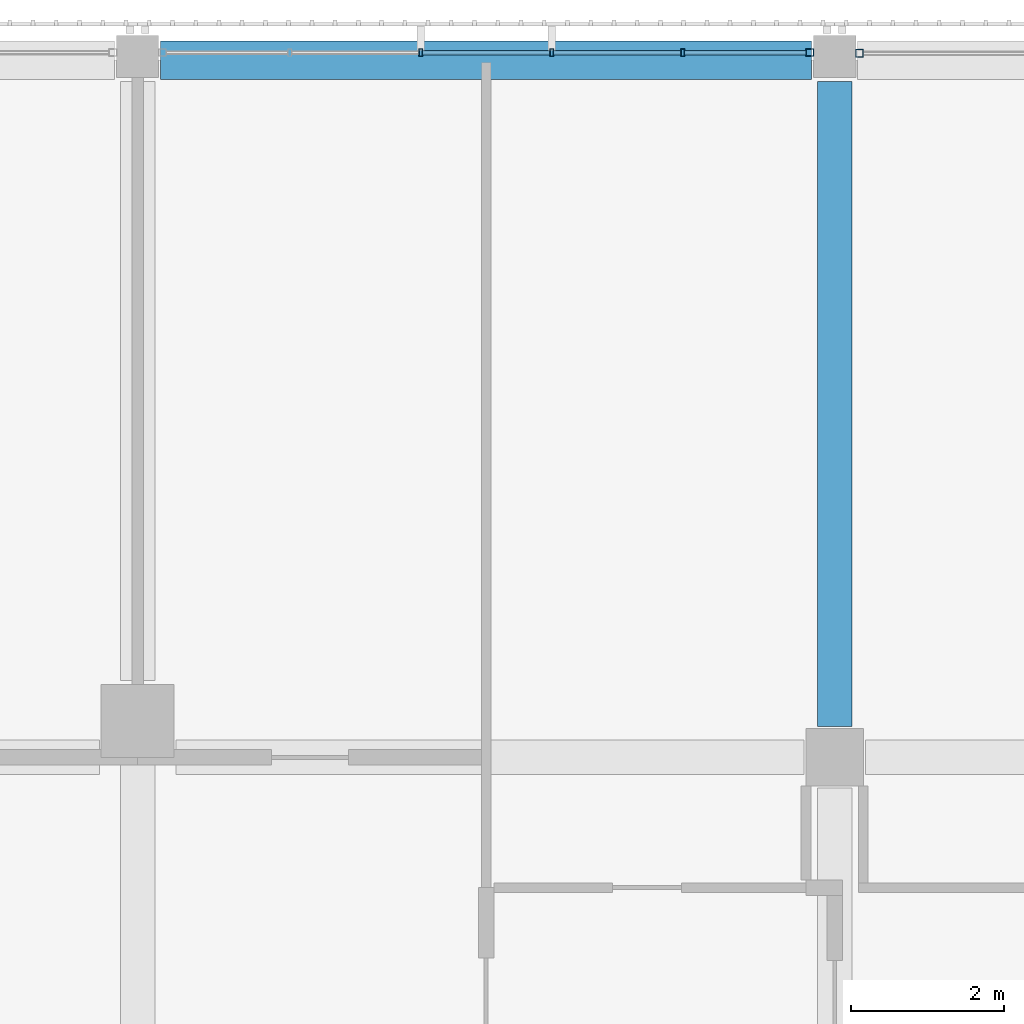
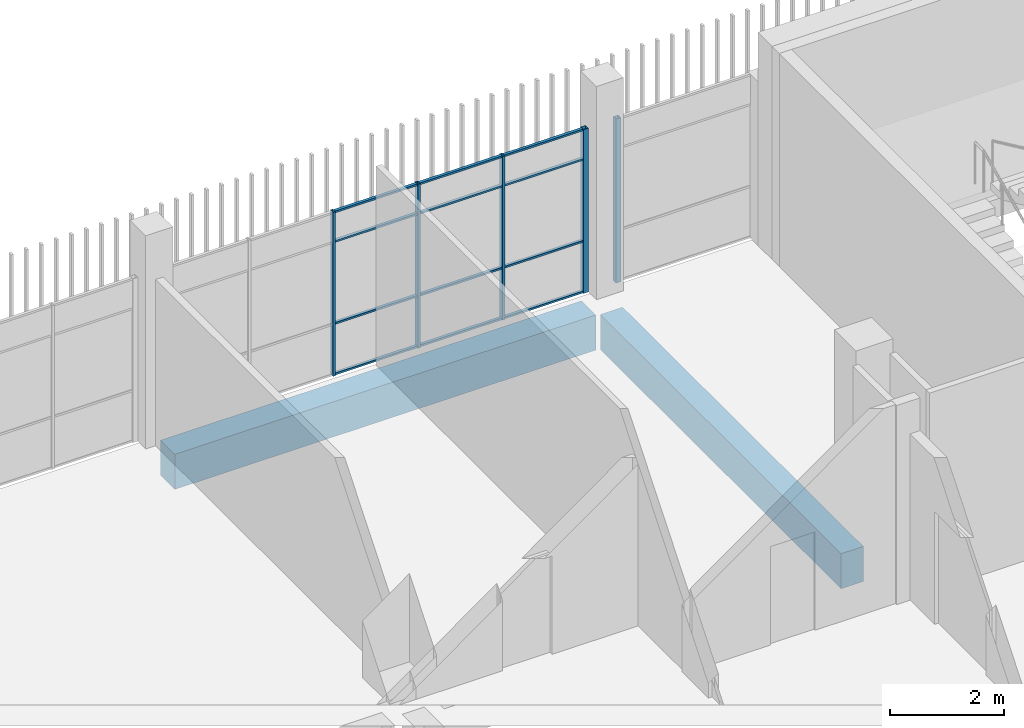
# One storey, part 37 of 104: 17 members, 2 beams, 2 elements without a shape of their own.
"""IFC4 building model written with IfcOpenShell, lengths in metres."""

from ifc_helpers import new_model, si_unit, direction, frame, origin, origin_2d, place, context, subcontext, project, spatial, rectangle, hollow_rectangle, extrude, material, layer, layer_set, material_profile, profile_set, type_object, element, aggregate, save


model = new_model("IFC4")

# Units and contexts
model_context = context("Model", 3, precision=1e-05, world=origin(), true_north=direction((0.0, 1.0)))
body_context = subcontext(model_context, "Body", "Model", "MODEL_VIEW")
ifc_project = project(units=[si_unit("LENGTHUNIT", "METRE"), si_unit("AREAUNIT", "SQUARE_METRE"), si_unit("VOLUMEUNIT", "CUBIC_METRE"), si_unit("PLANEANGLEUNIT", "RADIAN"), si_unit("MASSUNIT", "GRAM", prefix="KILO")], contexts=[model_context])

# Site, building, storey
site_placement = place(None, origin())
site = spatial("IfcSite", under=ifc_project, at=site_placement, CompositionType="ELEMENT")
building_placement = place(site_placement, origin())
building = spatial("IfcBuilding", under=site, at=building_placement, Name="Shirokan Park Arena", CompositionType="ELEMENT")
storey_placement = place(building_placement, frame((0.0, 0.0, 10.919921875)))
storey = spatial("IfcBuildingStorey", under=building, at=storey_placement, Name="L02", CompositionType="ELEMENT", Elevation=10.919921875)

# Curtain wall, member
ifc_material_1 = material(Name="Steel and glass curtain wall", Category="steel")
ifc_layer_1 = layer(ifc_material_1, 0.1201171875)
ifc_layer_set_1 = layer_set([ifc_layer_1], Name="Steel and glass curtain wall 120 mm")
curtain_wall_type_1 = type_object("IfcCurtainWallType", Name="Curtain wall corner block side bay 120", PredefinedType="NOTDEFINED", material=ifc_layer_set_1)
curtain_wall_1_placement = place(storey_placement, origin())
curtain_wall_1 = element("IfcCurtainWall", 1, at=curtain_wall_1_placement, inside=storey, type_object=curtain_wall_type_1, Name="Curtain wall north bay 4 L02", PredefinedType="NOTDEFINED")
ifc_material_2 = material(Name="Steel S355", Category="steel")
ifc_material_profile_1 = material_profile(ifc_material_2, hollow_rectangle(XDim=0.10009765625, YDim=0.10009765625, WallThickness=0.006103515625, at=origin_2d()), Name="RHS 100x100x6")
ifc_profile_set_1 = profile_set([ifc_material_profile_1], Name="Steel S355")
member_type_1 = type_object("IfcMemberType", Name="Mullion RHS 100x100x6", PredefinedType="MULLION", material=ifc_profile_set_1)
member_1_placement = place(storey_placement, frame((109.52490234375, 109.2900390625, 0.0), z_axis=(0.0, 0.0, 1.0), x_axis=(0.0, -1.0, 0.0)))
member_1 = element("IfcMember", 2, at=member_1_placement, type_object=member_type_1, Name="CW3 mullion 2", PredefinedType="MULLION", context=body_context, shape_type="SweptSolid", body=[
    extrude(hollow_rectangle(XDim=0.10009765625, YDim=0.10009765625, WallThickness=0.006103515625, at=origin_2d()), origin(), (0.0, 0.0, 1.0), 3.5),
])
aggregate(curtain_wall_1, [member_1])

# Curtain wall, members
ifc_layer_2 = layer(ifc_material_1, 0.10009765625)
ifc_layer_set_2 = layer_set([ifc_layer_2], Name="Steel and glass curtain wall 100 mm")
curtain_wall_type_2 = type_object("IfcCurtainWallType", Name="Curtain wall sheltered bay 100", PredefinedType="NOTDEFINED", material=ifc_layer_set_2)
curtain_wall_2_placement = place(storey_placement, origin())
curtain_wall_2 = element("IfcCurtainWall", 3, at=curtain_wall_2_placement, inside=storey, type_object=curtain_wall_type_2, Name="Curtain wall north bay 5 L02", PredefinedType="NOTDEFINED")
member_2_placement = place(storey_placement, frame((108.875, 109.300048828125, 0.0), z_axis=(0.0, 0.0, 1.0), x_axis=(0.0, -1.0, 0.0)))
member_2 = element("IfcMember", 4, at=member_2_placement, type_object=member_type_1, Name="CW2 mullion 1", PredefinedType="MULLION", context=body_context, shape_type="SweptSolid", body=[
    extrude(hollow_rectangle(XDim=0.10009765625, YDim=0.10009765625, WallThickness=0.006103515625, at=origin_2d()), origin(), (0.0, 0.0, 1.0), 3.5),
])
ifc_material_profile_2 = material_profile(ifc_material_2, hollow_rectangle(XDim=0.10009765625, YDim=0.050048828125, WallThickness=0.0048828125, at=origin_2d()), Name="RHS 100x50x5")
ifc_profile_set_2 = profile_set([ifc_material_profile_2], Name="Steel S355")
member_type_2 = type_object("IfcMemberType", Name="Mullion RHS 100x50x5", PredefinedType="MULLION", material=ifc_profile_set_2)
member_3_placement = place(storey_placement, frame((107.215087890625, 109.300048828125, 0.0), z_axis=(0.0, 0.0, 1.0), x_axis=(0.0, -1.0, 0.0)))
member_3 = element("IfcMember", 5, at=member_3_placement, type_object=member_type_2, Name="CW2 mullion 2", PredefinedType="MULLION", context=body_context, shape_type="SweptSolid", body=[
    extrude(hollow_rectangle(XDim=0.10009765625, YDim=0.050048828125, WallThickness=0.0048828125, at=origin_2d()), origin(), (0.0, 0.0, 1.0), 3.5),
])
member_4_placement = place(storey_placement, frame((105.5048828125, 109.300048828125, 0.0), z_axis=(0.0, 0.0, 1.0), x_axis=(0.0, -1.0, 0.0)))
member_4 = element("IfcMember", 6, at=member_4_placement, type_object=member_type_2, Name="CW2 mullion 3", PredefinedType="MULLION", context=body_context, shape_type="SweptSolid", body=[
    extrude(hollow_rectangle(XDim=0.10009765625, YDim=0.050048828125, WallThickness=0.0048828125, at=origin_2d()), origin(), (0.0, 0.0, 1.0), 3.5),
])
member_5_placement = place(storey_placement, frame((103.794921875, 109.300048828125, 0.0), z_axis=(0.0, 0.0, 1.0), x_axis=(0.0, -1.0, 0.0)))
member_5 = element("IfcMember", 7, at=member_5_placement, type_object=member_type_2, Name="CW2 mullion 4", PredefinedType="MULLION", context=body_context, shape_type="SweptSolid", body=[
    extrude(hollow_rectangle(XDim=0.10009765625, YDim=0.050048828125, WallThickness=0.0048828125, at=origin_2d()), origin(), (0.0, 0.0, 1.0), 3.5),
])

# Beams
ifc_material_3 = material(Name="Concrete C35", Category="concrete")
ifc_material_profile_3 = material_profile(ifc_material_3, rectangle(XDim=0.449951171875, YDim=0.75, at=origin_2d()), Name="450x750")
ifc_profile_set_3 = profile_set([ifc_material_profile_3], Name="Concrete C35")
beam_type_1 = type_object("IfcBeamType", Name="RC girder 450x750", PredefinedType="BEAM", material=ifc_profile_set_3)
beam_1_placement = place(storey_placement, frame((109.199951171875, 100.5, -0.6748046875), z_axis=(0.0, 1.0, 0.0), x_axis=(-1.0, 0.0, 0.0)))
element("IfcBeam", 8, at=beam_1_placement, inside=storey, type_object=beam_type_1, Name="Girder 13M-13N L02", PredefinedType="BEAM", context=body_context, shape_type="SweptSolid", body=[
    extrude(rectangle(XDim=0.449951171875, YDim=0.75, at=origin_2d()), origin(), (0.0, 0.0, 1.0), 8.4248046875),
])
ifc_material_profile_4 = material_profile(ifc_material_3, rectangle(XDim=0.5, YDim=0.75, at=origin_2d()), Name="500x750")
ifc_profile_set_4 = profile_set([ifc_material_profile_4], Name="Concrete C35")
beam_type_2 = type_object("IfcBeamType", Name="RC girder 500x750", PredefinedType="BEAM", material=ifc_profile_set_4)
beam_2_placement = place(storey_placement, frame((100.400146484375, 109.199951171875, -0.6748046875), z_axis=(1.0, 0.0, 0.0), x_axis=(0.0, 1.0, 0.0)))
element("IfcBeam", 9, at=beam_2_placement, inside=storey, type_object=beam_type_2, Name="Girder 12N-13N L02", PredefinedType="BEAM", context=body_context, shape_type="SweptSolid", body=[
    extrude(rectangle(XDim=0.5, YDim=0.75, at=origin_2d()), origin(), (0.0, 0.0, 1.0), 8.499755859375),
])

# Member
ifc_material_profile_5 = material_profile(ifc_material_2, hollow_rectangle(XDim=0.06005859375, YDim=0.0400390625, WallThickness=0.00390625, at=origin_2d()), Name="RHS 60x40x4")
ifc_profile_set_5 = profile_set([ifc_material_profile_5], Name="Steel S355")
member_type_3 = type_object("IfcMemberType", Name="Transom RHS 60x40x4", PredefinedType="MULLION", material=ifc_profile_set_5)
member_6_placement = place(storey_placement, frame((108.824951171875, 109.300048828125, 0.02001953125), z_axis=(-1.0, 0.0, 0.0), x_axis=(0.0, -1.0, 0.0)))
member_6 = element("IfcMember", 10, at=member_6_placement, type_object=member_type_3, Name="CW2 transom 1.1", PredefinedType="MULLION", context=body_context, shape_type="SweptSolid", body=[
    extrude(hollow_rectangle(XDim=0.06005859375, YDim=0.0400390625, WallThickness=0.00390625, at=origin_2d()), origin(), (0.0, 0.0, 1.0), 1.5849609375),
])

member_7_placement = place(storey_placement, frame((108.824951171875, 109.300048828125, 1.10009765625), z_axis=(-1.0, 0.0, 0.0), x_axis=(0.0, -1.0, 0.0)))
member_7 = element("IfcMember", 11, at=member_7_placement, type_object=member_type_3, Name="CW2 transom 1.2", PredefinedType="MULLION", context=body_context, shape_type="SweptSolid", body=[
    extrude(hollow_rectangle(XDim=0.06005859375, YDim=0.0400390625, WallThickness=0.00390625, at=origin_2d()), origin(), (0.0, 0.0, 1.0), 1.5849609375),
])

member_8_placement = place(storey_placement, frame((108.824951171875, 109.300048828125, 2.85009765625), z_axis=(-1.0, 0.0, 0.0), x_axis=(0.0, -1.0, 0.0)))
member_8 = element("IfcMember", 12, at=member_8_placement, type_object=member_type_3, Name="CW2 transom 1.3", PredefinedType="MULLION", context=body_context, shape_type="SweptSolid", body=[
    extrude(hollow_rectangle(XDim=0.06005859375, YDim=0.0400390625, WallThickness=0.00390625, at=origin_2d()), origin(), (0.0, 0.0, 1.0), 1.5849609375),
])

member_9_placement = place(storey_placement, frame((108.824951171875, 109.300048828125, 3.47998046875), z_axis=(-1.0, 0.0, 0.0), x_axis=(0.0, -1.0, 0.0)))
member_9 = element("IfcMember", 13, at=member_9_placement, type_object=member_type_3, Name="CW2 transom 1.4", PredefinedType="MULLION", context=body_context, shape_type="SweptSolid", body=[
    extrude(hollow_rectangle(XDim=0.06005859375, YDim=0.0400390625, WallThickness=0.00390625, at=origin_2d()), origin(), (0.0, 0.0, 1.0), 1.5849609375),
])

member_10_placement = place(storey_placement, frame((107.18994140625, 109.300048828125, 0.02001953125), z_axis=(-1.0, 0.0, 0.0), x_axis=(0.0, -1.0, 0.0)))
member_10 = element("IfcMember", 14, at=member_10_placement, type_object=member_type_3, Name="CW2 transom 2.1", PredefinedType="MULLION", context=body_context, shape_type="SweptSolid", body=[
    extrude(hollow_rectangle(XDim=0.06005859375, YDim=0.0400390625, WallThickness=0.00390625, at=origin_2d()), origin(), (0.0, 0.0, 1.0), 1.659912109375),
])

member_11_placement = place(storey_placement, frame((107.18994140625, 109.300048828125, 1.10009765625), z_axis=(-1.0, 0.0, 0.0), x_axis=(0.0, -1.0, 0.0)))
member_11 = element("IfcMember", 15, at=member_11_placement, type_object=member_type_3, Name="CW2 transom 2.2", PredefinedType="MULLION", context=body_context, shape_type="SweptSolid", body=[
    extrude(hollow_rectangle(XDim=0.06005859375, YDim=0.0400390625, WallThickness=0.00390625, at=origin_2d()), origin(), (0.0, 0.0, 1.0), 1.659912109375),
])

member_12_placement = place(storey_placement, frame((107.18994140625, 109.300048828125, 2.85009765625), z_axis=(-1.0, 0.0, 0.0), x_axis=(0.0, -1.0, 0.0)))
member_12 = element("IfcMember", 16, at=member_12_placement, type_object=member_type_3, Name="CW2 transom 2.3", PredefinedType="MULLION", context=body_context, shape_type="SweptSolid", body=[
    extrude(hollow_rectangle(XDim=0.06005859375, YDim=0.0400390625, WallThickness=0.00390625, at=origin_2d()), origin(), (0.0, 0.0, 1.0), 1.659912109375),
])

member_13_placement = place(storey_placement, frame((107.18994140625, 109.300048828125, 3.47998046875), z_axis=(-1.0, 0.0, 0.0), x_axis=(0.0, -1.0, 0.0)))
member_13 = element("IfcMember", 17, at=member_13_placement, type_object=member_type_3, Name="CW2 transom 2.4", PredefinedType="MULLION", context=body_context, shape_type="SweptSolid", body=[
    extrude(hollow_rectangle(XDim=0.06005859375, YDim=0.0400390625, WallThickness=0.00390625, at=origin_2d()), origin(), (0.0, 0.0, 1.0), 1.659912109375),
])

member_14_placement = place(storey_placement, frame((105.47998046875, 109.300048828125, 0.02001953125), z_axis=(-1.0, 0.0, 0.0), x_axis=(0.0, -1.0, 0.0)))
member_14 = element("IfcMember", 18, at=member_14_placement, type_object=member_type_3, Name="CW2 transom 3.1", PredefinedType="MULLION", context=body_context, shape_type="SweptSolid", body=[
    extrude(hollow_rectangle(XDim=0.06005859375, YDim=0.0400390625, WallThickness=0.00390625, at=origin_2d()), origin(), (0.0, 0.0, 1.0), 1.659912109375),
])

member_15_placement = place(storey_placement, frame((105.47998046875, 109.300048828125, 1.10009765625), z_axis=(-1.0, 0.0, 0.0), x_axis=(0.0, -1.0, 0.0)))
member_15 = element("IfcMember", 19, at=member_15_placement, type_object=member_type_3, Name="CW2 transom 3.2", PredefinedType="MULLION", context=body_context, shape_type="SweptSolid", body=[
    extrude(hollow_rectangle(XDim=0.06005859375, YDim=0.0400390625, WallThickness=0.00390625, at=origin_2d()), origin(), (0.0, 0.0, 1.0), 1.659912109375),
])

member_16_placement = place(storey_placement, frame((105.47998046875, 109.300048828125, 2.85009765625), z_axis=(-1.0, 0.0, 0.0), x_axis=(0.0, -1.0, 0.0)))
member_16 = element("IfcMember", 20, at=member_16_placement, type_object=member_type_3, Name="CW2 transom 3.3", PredefinedType="MULLION", context=body_context, shape_type="SweptSolid", body=[
    extrude(hollow_rectangle(XDim=0.06005859375, YDim=0.0400390625, WallThickness=0.00390625, at=origin_2d()), origin(), (0.0, 0.0, 1.0), 1.659912109375),
])

member_17_placement = place(storey_placement, frame((105.47998046875, 109.300048828125, 3.47998046875), z_axis=(-1.0, 0.0, 0.0), x_axis=(0.0, -1.0, 0.0)))
member_17 = element("IfcMember", 21, at=member_17_placement, type_object=member_type_3, Name="CW2 transom 3.4", PredefinedType="MULLION", context=body_context, shape_type="SweptSolid", body=[
    extrude(hollow_rectangle(XDim=0.06005859375, YDim=0.0400390625, WallThickness=0.00390625, at=origin_2d()), origin(), (0.0, 0.0, 1.0), 1.659912109375),
])

aggregate(curtain_wall_2, [member_2, member_3, member_4, member_5, member_6, member_7, member_8, member_9, member_10, member_11, member_12, member_13, member_14, member_15, member_16, member_17])

save(model, "model.ifc")
